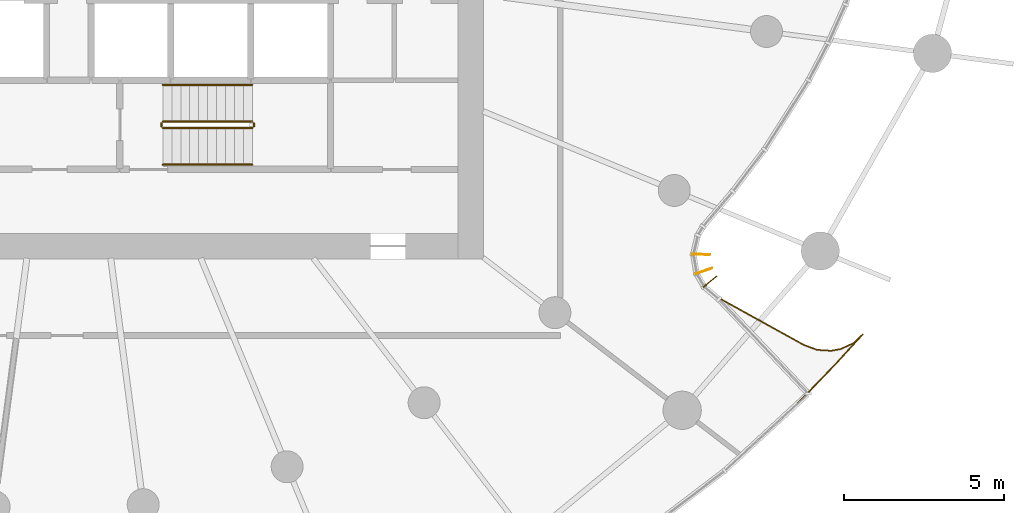
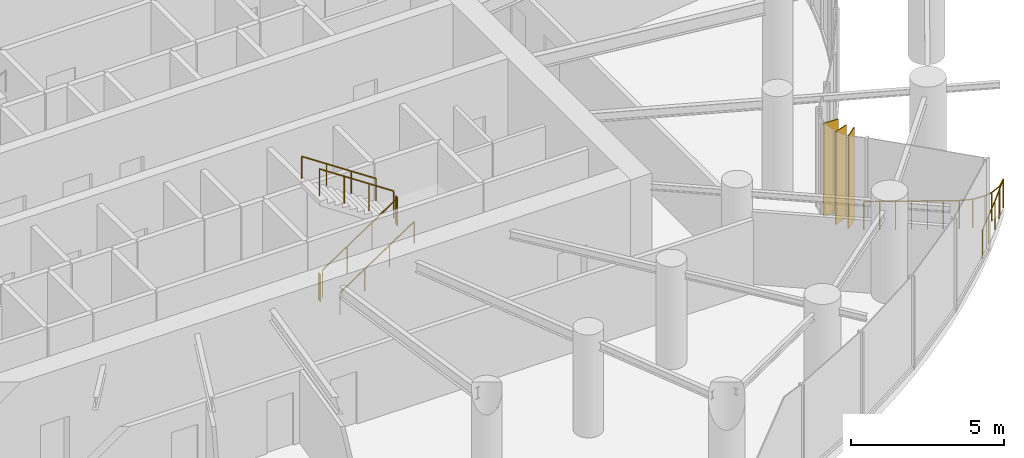
# One storey, part 20 of 21: 7 railings, 3 shading devices.
"""IFC4 building model written with IfcOpenShell, lengths in metres."""

from ifc_helpers import new_model, si_unit, direction, frame, origin, origin_2d, place, context, subcontext, project, spatial, rectangle, circle, extrude, source, transform, mapped, material, material_profile, profile_set, type_object, element, save


model = new_model("IFC4")

# Units and contexts
model_context = context("Model", 3, precision=1e-05, world=origin(), true_north=direction((0.0, 1.0)))
body_context = subcontext(model_context, "Body", "Model", "MODEL_VIEW")
ifc_project = project(units=[si_unit("LENGTHUNIT", "METRE"), si_unit("AREAUNIT", "SQUARE_METRE"), si_unit("VOLUMEUNIT", "CUBIC_METRE"), si_unit("PLANEANGLEUNIT", "RADIAN"), si_unit("MASSUNIT", "GRAM", prefix="KILO")], contexts=[model_context])

# Site, building, storey
site_placement = place(None, origin())
site = spatial("IfcSite", under=ifc_project, at=site_placement, CompositionType="ELEMENT")
building_placement = place(site_placement, origin())
building = spatial("IfcBuilding", under=site, at=building_placement, Name="Spindrift Exchange Tower", CompositionType="ELEMENT")
storey_placement = place(building_placement, frame((0.0, 0.0, 83.89990234375)))
storey = spatial("IfcBuildingStorey", under=building, at=storey_placement, Name="L19", CompositionType="ELEMENT", Elevation=83.89990234375)

# Railings
ifc_material_1 = material(Name="Steel balustrade", Category="steel")
railing_type_1 = type_object("IfcRailingType", Name="RL-STAIR-GUARD", PredefinedType="GUARDRAIL", material=ifc_material_1)
railing_1_placement = place(storey_placement, frame((54.949951171875, 42.10009765625, 0.1865234375)))
element("IfcRailing", 1, at=railing_1_placement, inside=storey, type_object=railing_type_1, Name="L19 ST2 stair guard 1", PredefinedType="GUARDRAIL", context=body_context, shape_type="SweptSolid", body=[
    extrude(circle(Radius=0.02392578125, at=origin_2d()), frame((0.0, 0.0, 1.076171875), z_axis=(0.832485552168, 0.0, 0.554046753832), x_axis=(0.0, 1.0, 0.0)), (0.0, 0.0, 1.0), 3.363525390625),
    extrude(circle(Radius=0.02099609375, at=origin_2d()), origin(), (0.0, 0.0, 1.0), 1.052001953125),
    extrude(circle(Radius=0.02099609375, at=origin_2d()), frame((0.933349609375, 0.0, 0.62109375)), (0.0, 0.0, 1.0), 1.052001953125),
    extrude(circle(Radius=0.02099609375, at=origin_2d()), frame((1.86669921875, 0.0, 1.242431640625)), (0.0, 0.0, 1.0), 1.052001953125),
    extrude(circle(Radius=0.02099609375, at=origin_2d()), frame((2.800048828125, 0.0, 1.863525390625)), (0.0, 0.0, 1.0), 1.052001953125),
])
railing_2_placement = place(storey_placement, frame((57.800048828125, 42.14990234375, 2.050048828125)))
element("IfcRailing", 2, at=railing_2_placement, inside=storey, type_object=railing_type_1, Name="L19 ST2 stair guard 2", PredefinedType="GUARDRAIL", context=body_context, shape_type="SweptSolid", body=[
    extrude(circle(Radius=0.02392578125, at=origin_2d()), frame((0.0, 0.0, 1.076171875), z_axis=(0.0, 1.0, 0.0), x_axis=(-1.0, 0.0, 0.0)), (0.0, 0.0, 1.0), 0.10009765625),
    extrude(circle(Radius=0.02099609375, at=origin_2d()), origin(), (0.0, 0.0, 1.0), 1.052001953125),
    extrude(circle(Radius=0.02099609375, at=origin_2d()), frame((0.0, 0.10009765625, 0.0)), (0.0, 0.0, 1.0), 1.052001953125),
])
railing_3_placement = place(storey_placement, frame((57.75, 42.300048828125, 2.236572265625)))
element("IfcRailing", 3, at=railing_3_placement, inside=storey, type_object=railing_type_1, Name="L19 ST2 stair guard 3", PredefinedType="GUARDRAIL", context=body_context, shape_type="SweptSolid", body=[
    extrude(circle(Radius=0.02392578125, at=origin_2d()), frame((0.0, 0.0, 1.076171875), z_axis=(-0.832485552168, 0.0, 0.554046753832), x_axis=(0.0, -1.0, 0.0)), (0.0, 0.0, 1.0), 3.363525390625),
    extrude(circle(Radius=0.02099609375, at=origin_2d()), origin(), (0.0, 0.0, 1.0), 1.052001953125),
    extrude(circle(Radius=0.02099609375, at=origin_2d()), frame((-0.933349609375, 0.0, 0.62109375)), (0.0, 0.0, 1.0), 1.052001953125),
    extrude(circle(Radius=0.02099609375, at=origin_2d()), frame((-1.86669921875, 0.0, 1.242431640625)), (0.0, 0.0, 1.0), 1.052001953125),
    extrude(circle(Radius=0.02099609375, at=origin_2d()), frame((-2.800048828125, 0.0, 1.863525390625)), (0.0, 0.0, 1.0), 1.052001953125),
])
railing_4_placement = place(storey_placement, frame((54.89990234375, 42.14990234375, 0.0)))
element("IfcRailing", 4, at=railing_4_placement, inside=storey, type_object=railing_type_1, Name="L19 ST2 stair guard 4", PredefinedType="GUARDRAIL", context=body_context, shape_type="SweptSolid", body=[
    extrude(circle(Radius=0.02392578125, at=origin_2d()), frame((0.0, 0.0, 1.076171875), z_axis=(0.0, 1.0, 0.0), x_axis=(-1.0, 0.0, 0.0)), (0.0, 0.0, 1.0), 0.10009765625),
    extrude(circle(Radius=0.02099609375, at=origin_2d()), origin(), (0.0, 0.0, 1.0), 1.052001953125),
    extrude(circle(Radius=0.02099609375, at=origin_2d()), frame((0.0, 0.10009765625, 0.0)), (0.0, 0.0, 1.0), 1.052001953125),
])
ifc_material_2 = material(Name="Steel tubular handrail", Category="steel")
railing_type_2 = type_object("IfcRailingType", Name="RL-STAIR-HAND", PredefinedType="HANDRAIL", material=ifc_material_2)
railing_5_placement = place(storey_placement, frame((54.949951171875, 40.949951171875, 0.1865234375)))
element("IfcRailing", 5, at=railing_5_placement, inside=storey, type_object=railing_type_2, Name="L19 ST2 stair handrail 1", PredefinedType="HANDRAIL", context=body_context, shape_type="SweptSolid", body=[
    extrude(circle(Radius=0.02392578125, at=origin_2d()), frame((0.0, 0.0, 0.8759765625), z_axis=(0.832485552168, 0.0, 0.554046753832), x_axis=(0.0, 1.0, 0.0)), (0.0, 0.0, 1.0), 3.363525390625),
    extrude(circle(Radius=0.02099609375, at=origin_2d()), origin(), (0.0, 0.0, 1.0), 0.851806640625),
    extrude(circle(Radius=0.02099609375, at=origin_2d()), frame((0.933349609375, 0.0, 0.62109375)), (0.0, 0.0, 1.0), 0.851806640625),
    extrude(circle(Radius=0.02099609375, at=origin_2d()), frame((1.86669921875, 0.0, 1.242431640625)), (0.0, 0.0, 1.0), 0.851806640625),
    extrude(circle(Radius=0.02099609375, at=origin_2d()), frame((2.800048828125, 0.0, 1.863525390625)), (0.0, 0.0, 1.0), 0.851806640625),
])
railing_6_placement = place(storey_placement, frame((57.75, 43.449951171875, 2.236572265625)))
element("IfcRailing", 6, at=railing_6_placement, inside=storey, type_object=railing_type_2, Name="L19 ST2 stair handrail 2", PredefinedType="HANDRAIL", context=body_context, shape_type="SweptSolid", body=[
    extrude(circle(Radius=0.02392578125, at=origin_2d()), frame((0.0, 0.0, 0.8759765625), z_axis=(-0.832485552168, 0.0, 0.554046753832), x_axis=(0.0, -1.0, 0.0)), (0.0, 0.0, 1.0), 3.363525390625),
    extrude(circle(Radius=0.02099609375, at=origin_2d()), origin(), (0.0, 0.0, 1.0), 0.851806640625),
    extrude(circle(Radius=0.02099609375, at=origin_2d()), frame((-0.933349609375, 0.0, 0.62109375)), (0.0, 0.0, 1.0), 0.851806640625),
    extrude(circle(Radius=0.02099609375, at=origin_2d()), frame((-1.86669921875, 0.0, 1.242431640625)), (0.0, 0.0, 1.0), 0.851806640625),
    extrude(circle(Radius=0.02099609375, at=origin_2d()), frame((-2.800048828125, 0.0, 1.863525390625)), (0.0, 0.0, 1.0), 0.851806640625),
])
ifc_material_3 = material(Name="Bronze anodised aluminium balustrade", Category="aluminium")
railing_type_3 = type_object("IfcRailingType", Name="TERRACE GUARDRAIL 1150", PredefinedType="GUARDRAIL", material=ifc_material_3)
railing_7_placement = place(storey_placement, frame((72.299072265625, 36.812744140625, 0.0)))
element("IfcRailing", 7, at=railing_7_placement, inside=storey, type_object=railing_type_3, Name="L19 Sky Garden Edge Guardrail 2", PredefinedType="GUARDRAIL", context=body_context, shape_type="SweptSolid", body=[
    extrude(circle(Radius=0.02392578125, at=origin_2d()), frame((0.0, 0.0, 1.1259765625), z_axis=(0.875272904272, -0.483629344693, 0.0), x_axis=(0.483629344693, 0.875272904272, 0.0)), (0.0, 0.0, 1.0), 1.04052734375),
    extrude(circle(Radius=0.02392578125, at=origin_2d()), frame((0.91064453125, -0.503173828125, 1.1259765625), z_axis=(0.875327773159, -0.483530029612, 0.0), x_axis=(0.483530029612, 0.875327773159, 0.0)), (0.0, 0.0, 1.0), 1.04052734375),
    extrude(circle(Radius=0.02392578125, at=origin_2d()), frame((1.821533203125, -1.00634765625, 1.1259765625), z_axis=(0.875327773159, -0.483530029612, 0.0), x_axis=(0.483530029612, 0.875327773159, 0.0)), (0.0, 0.0, 1.0), 1.04052734375),
    extrude(circle(Radius=0.02392578125, at=origin_2d()), frame((2.732421875, -1.509521484375, 1.1259765625), z_axis=(0.937230212103, -0.348711240888, 0.0), x_axis=(0.348711240888, 0.937230212103, 0.0)), (0.0, 0.0, 1.0), 0.44384765625),
    extrude(circle(Radius=0.02392578125, at=origin_2d()), frame((3.1484375, -1.664306640625, 1.1259765625), z_axis=(0.997968339911, -0.063711792752, 0.0), x_axis=(0.063711792752, 0.997968339911, 0.0)), (0.0, 0.0, 1.0), 0.444580078125),
    extrude(circle(Radius=0.02392578125, at=origin_2d()), frame((3.592041015625, -1.692626953125, 1.1259765625), z_axis=(0.983645435457, 0.180115677563, 0.0), x_axis=(-0.180115677563, 0.983645435457, 0.0)), (0.0, 0.0, 1.0), 0.296875),
    extrude(circle(Radius=0.02392578125, at=origin_2d()), frame((3.884033203125, -1.63916015625, 1.1259765625), z_axis=(0.910911326688, 0.412602175116, 0.0), x_axis=(-0.412602175116, 0.910911326688, 0.0)), (0.0, 0.0, 1.0), 0.4443359375),
    extrude(circle(Radius=0.02392578125, at=origin_2d()), frame((4.288818359375, -1.455810546875, 1.1259765625), z_axis=(0.727249986862, 0.686372680553, 0.0), x_axis=(-0.686372680553, 0.727249986862, 0.0)), (0.0, 0.0, 1.0), 0.400146484375),
    extrude(circle(Radius=0.02392578125, at=origin_2d()), frame((4.579833984375, -1.18115234375, 1.1259765625), z_axis=(-0.673987668777, -0.738742595453, 0.0), x_axis=(0.738742595453, -0.673987668777, 0.0)), (0.0, 0.0, 1.0), 1.2744140625),
    extrude(circle(Radius=0.02392578125, at=origin_2d()), frame((3.720947265625, -2.12255859375, 1.1259765625), z_axis=(-0.694968415755, -0.719040263896, 0.0), x_axis=(0.719040263896, -0.694968415755, 0.0)), (0.0, 0.0, 1.0), 0.862060546875),
    extrude(circle(Radius=0.02392578125, at=origin_2d()), frame((3.121826171875, -2.742431640625, 1.1259765625), z_axis=(-0.695109948166, -0.718903442724, 0.0), x_axis=(0.718903442724, -0.695109948166, 0.0)), (0.0, 0.0, 1.0), 0.86181640625),
    extrude(circle(Radius=0.02099609375, at=origin_2d()), origin(), (0.0, 0.0, 1.0), 1.101806640625),
    extrude(circle(Radius=0.02099609375, at=origin_2d()), frame((0.455322265625, -0.25146484375, 0.0)), (0.0, 0.0, 1.0), 1.101806640625),
    extrude(circle(Radius=0.02099609375, at=origin_2d()), frame((0.91064453125, -0.503173828125, 0.0)), (0.0, 0.0, 1.0), 1.101806640625),
    extrude(circle(Radius=0.02099609375, at=origin_2d()), frame((1.3662109375, -0.7548828125, 0.0)), (0.0, 0.0, 1.0), 1.101806640625),
    extrude(circle(Radius=0.02099609375, at=origin_2d()), frame((1.821533203125, -1.00634765625, 0.0)), (0.0, 0.0, 1.0), 1.101806640625),
    extrude(circle(Radius=0.02099609375, at=origin_2d()), frame((2.27685546875, -1.2578125, 0.0)), (0.0, 0.0, 1.0), 1.101806640625),
    extrude(circle(Radius=0.02099609375, at=origin_2d()), frame((2.732421875, -1.509521484375, 0.0)), (0.0, 0.0, 1.0), 1.101806640625),
    extrude(circle(Radius=0.02099609375, at=origin_2d()), frame((3.1484375, -1.664306640625, 0.0)), (0.0, 0.0, 1.0), 1.101806640625),
    extrude(circle(Radius=0.02099609375, at=origin_2d()), frame((3.592041015625, -1.692626953125, 0.0)), (0.0, 0.0, 1.0), 1.101806640625),
    extrude(circle(Radius=0.02099609375, at=origin_2d()), frame((3.884033203125, -1.63916015625, 0.0)), (0.0, 0.0, 1.0), 1.101806640625),
    extrude(circle(Radius=0.02099609375, at=origin_2d()), frame((4.288818359375, -1.455810546875, 0.0)), (0.0, 0.0, 1.0), 1.101806640625),
    extrude(circle(Radius=0.02099609375, at=origin_2d()), frame((4.579833984375, -1.18115234375, 0.0)), (0.0, 0.0, 1.0), 1.101806640625),
    extrude(circle(Radius=0.02099609375, at=origin_2d()), frame((4.150390625, -1.65185546875, 0.0)), (0.0, 0.0, 1.0), 1.101806640625),
    extrude(circle(Radius=0.02099609375, at=origin_2d()), frame((3.720947265625, -2.12255859375, 0.0)), (0.0, 0.0, 1.0), 1.101806640625),
    extrude(circle(Radius=0.02099609375, at=origin_2d()), frame((3.121826171875, -2.742431640625, 0.0)), (0.0, 0.0, 1.0), 1.101806640625),
    extrude(circle(Radius=0.02099609375, at=origin_2d()), frame((2.522705078125, -3.362060546875, 0.0)), (0.0, 0.0, 1.0), 1.101806640625),
])

# Shading devices
ifc_material_4 = material(Name="Bronze anodised aluminium", Category="aluminium")
ifc_material_profile = material_profile(ifc_material_4, rectangle(XDim=0.030029296875, YDim=0.550048828125, at=origin_2d()), Name="WIND FIN 30X550")
ifc_profile_set = profile_set([ifc_material_profile], Name="Bronze anodised aluminium")
shading_device_type = type_object("IfcShadingDeviceType", Name="WIND FIN 30X550", PredefinedType="USERDEFINED", material=ifc_profile_set)
shared_shape = source(origin(), body_context, "Body", "SweptSolid", [
    extrude(rectangle(XDim=0.030029296875, YDim=0.550048828125, at=origin_2d()), origin(), (0.0, 0.0, 1.0), 3.7001953125),
])
for number, where, z_axis, x_axis, name in (
    (8, (72.0947265625, 37.2861328125, 0.0), (0.0, 0.0, 1.0), (-0.638868526209, 0.769315933944, 0.0), "L19 wind fin 1"),
    (9, (71.9052734375, 37.61865234375, 0.0), (0.0, 0.0, 1.0), (-0.335063510004, 0.9421955446, 0.0), "L19 wind fin 2"),
    (10, (71.81787109375, 38.13623046875, 0.0), (0.0, 0.0, 1.0), (0.033577312885, 0.999436123051, 0.0), "L19 wind fin 3"),
):
    element("IfcShadingDevice", number, at=place(storey_placement, frame(where, z_axis=z_axis, x_axis=x_axis)), inside=storey, type_object=shading_device_type, Name=name, ObjectType="FIN", PredefinedType="USERDEFINED", context=body_context, shape_type="MappedRepresentation", body=[
        mapped(shared_shape, transform((0.0, 0.0, 0.0), scale=1.0)),
    ])

save(model, "model.ifc")
